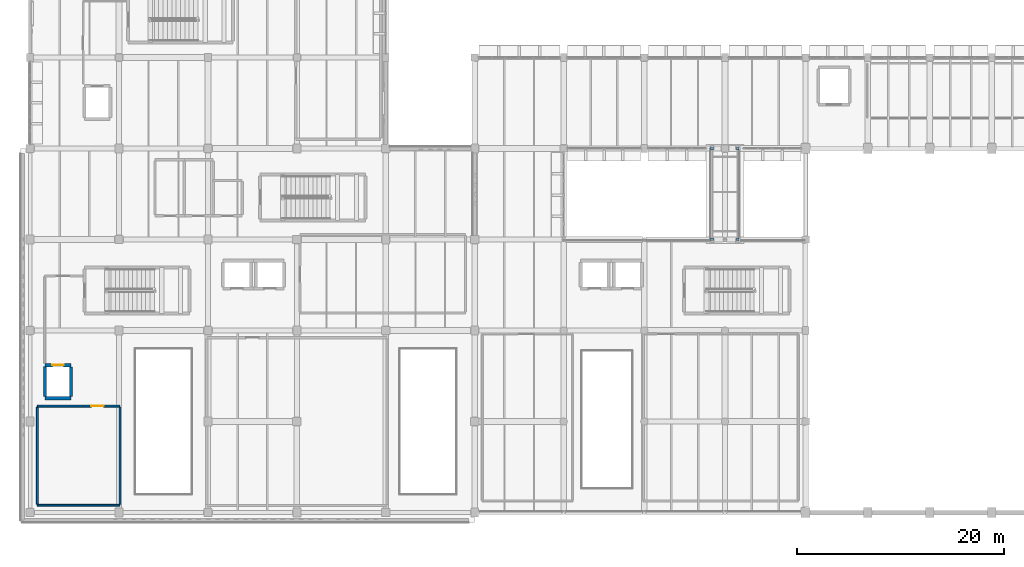
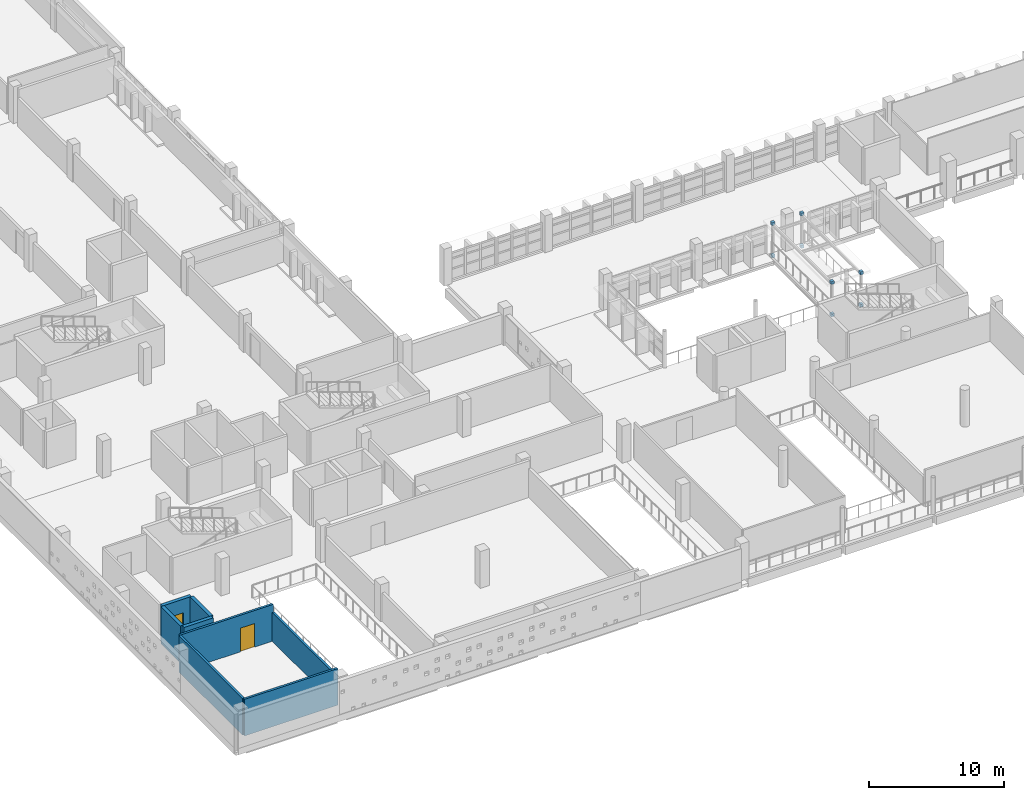
# One storey, part 53 of 75: 8 plates, 8 walls, 2 doors, 2 openings.
"""IFC4 building model written with IfcOpenShell, lengths in metres."""

from ifc_helpers import new_model, si_unit, direction, frame, frame_2d, origin, origin_2d, place, context, subcontext, project, spatial, rectangle, extrude, material, layer, layer_set, type_object, element, fill, save


model = new_model("IFC4")

# Units and contexts
model_context = context("Model", 3, precision=1e-05, world=origin(), true_north=direction((0.0, 1.0)))
body_context = subcontext(model_context, "Body", "Model", "MODEL_VIEW")
ifc_project = project(units=[si_unit("LENGTHUNIT", "METRE"), si_unit("AREAUNIT", "SQUARE_METRE"), si_unit("VOLUMEUNIT", "CUBIC_METRE"), si_unit("PLANEANGLEUNIT", "RADIAN"), si_unit("MASSUNIT", "GRAM", prefix="KILO")], contexts=[model_context])

# Site, building, storey
site_placement = place(None, origin())
site = spatial("IfcSite", under=ifc_project, at=site_placement, CompositionType="ELEMENT")
building_placement = place(site_placement, origin())
building = spatial("IfcBuilding", under=site, at=building_placement, Name="Varnakota Cinema and Media Centre", CompositionType="ELEMENT")
storey_placement = place(building_placement, frame((0.0, 0.0, 8.39990234375)))
storey = spatial("IfcBuildingStorey", under=building, at=storey_placement, Name="L02", CompositionType="ELEMENT", Elevation=8.39990234375)

# Plates
ifc_material_1 = material(Name="Structural steel Grade 350 (E350)", Category="steel")
ifc_layer_1 = layer(ifc_material_1, 0.01611328125)
ifc_layer_set_1 = layer_set([ifc_layer_1], Name="Structural steel Grade 350 (E350)")
plate_type = type_object("IfcPlateType", Name="PL-NODE-16", PredefinedType="SHEET", material=ifc_layer_set_1)
for number, where, z_axis, x_axis, name in (
    (1, (65.949951171875, 26.39990234375, -0.3798828125), (0.0, 0.0, 1.0), (1.0, 0.0, 0.0), "L02 bridge BR2 post base plate 1.1"),
    (2, (65.949951171875, 26.39990234375, 2.56005859375), (0.0, 0.0, 1.0), (1.0, 0.0, 0.0), "L02 bridge BR2 post cap plate 1.1"),
    (3, (65.949951171875, 35.199951171875, -0.3798828125), (0.0, 0.0, 1.0), (1.0, 0.0, 0.0), "L02 bridge BR2 post base plate 1.2"),
    (4, (65.949951171875, 35.199951171875, 2.56005859375), (0.0, 0.0, 1.0), (1.0, 0.0, 0.0), "L02 bridge BR2 post cap plate 1.2"),
    (5, (68.449951171875, 26.39990234375, -0.3798828125), (0.0, 0.0, 1.0), (1.0, 0.0, 0.0), "L02 bridge BR2 post base plate 2.1"),
    (6, (68.449951171875, 26.39990234375, 2.56005859375), (0.0, 0.0, 1.0), (1.0, 0.0, 0.0), "L02 bridge BR2 post cap plate 2.1"),
    (7, (68.449951171875, 35.199951171875, -0.3798828125), (0.0, 0.0, 1.0), (1.0, 0.0, 0.0), "L02 bridge BR2 post base plate 2.2"),
    (8, (68.449951171875, 35.199951171875, 2.56005859375), (0.0, 0.0, 1.0), (1.0, 0.0, 0.0), "L02 bridge BR2 post cap plate 2.2"),
):
    element("IfcPlate", number, at=place(storey_placement, frame(where, z_axis=z_axis, x_axis=x_axis)), inside=storey, type_object=plate_type, Name=name, PredefinedType="SHEET", context=body_context, shape_type="SweptSolid", body=[
        extrude(rectangle(XDim=0.260009765625, YDim=0.260009765625, at=origin_2d()), origin(), (0.0, 0.0, 1.0), 0.260009765625),
    ])

# Walls
ifc_material_2 = material(Name="Concrete M40", Category="concrete")
ifc_layer_2 = layer(ifc_material_2, 0.300048828125)
ifc_layer_set_2 = layer_set([ifc_layer_2], Name="Concrete M40")
wall_type_1 = type_object("IfcWallType", Name="W-CORE-300", PredefinedType="SHEAR", material=ifc_layer_set_2)
wall_1_placement = place(storey_placement, frame((3.949951171875, 11.050048828125, 0.0), z_axis=(0.0, 0.0, 1.0), x_axis=(-1.0, 0.0, 0.0)))
element("IfcWall", 9, at=wall_1_placement, inside=storey, type_object=wall_type_1, Name="L02 LSHAFT-LF-01-L02 S wall", PredefinedType="SHEAR", context=body_context, shape_type="SweptSolid", body=[
    extrude(rectangle(XDim=2.5, YDim=0.300048828125, at=frame_2d((1.25, 0.0))), origin(), (0.0, 0.0, 1.0), 3.340087890625),
])
wall_2_placement = place(storey_placement, frame((1.449951171875, 11.199951171875, 0.0), z_axis=(0.0, 0.0, 1.0), x_axis=(0.0, 1.0, 0.0)))
element("IfcWall", 10, at=wall_2_placement, inside=storey, type_object=wall_type_1, Name="L02 LSHAFT-LF-01-L02 W wall", PredefinedType="SHEAR", context=body_context, shape_type="SweptSolid", body=[
    extrude(rectangle(XDim=2.900146484375, YDim=0.300048828125, at=frame_2d((1.4501953125, 0.0))), origin(), (0.0, 0.0, 1.0), 3.340087890625),
])

# Wall, opening, door
wall_3_placement = place(storey_placement, frame((1.449951171875, 14.25, 0.0), z_axis=(0.0, 0.0, 1.0), x_axis=(1.0, 0.0, 0.0)))
wall_3 = element("IfcWall", 11, at=wall_3_placement, inside=storey, type_object=wall_type_1, Name="L02 LSHAFT-LF-01-L02 N wall", PredefinedType="SHEAR", context=body_context, shape_type="SweptSolid", body=[
    extrude(rectangle(XDim=2.5, YDim=0.300048828125, at=frame_2d((1.25, 0.0))), origin(), (0.0, 0.0, 1.0), 3.340087890625),
])
opening_1_placement = place(wall_3_placement, frame((0.699951171875, 0.0, 0.0)))
opening_1 = element("IfcOpeningElement", 12, at=opening_1_placement, cuts=wall_3, Name="Opening LD-01", PredefinedType="OPENING", context=body_context, shape_type="SweptSolid", body=[
    extrude(rectangle(XDim=1.10009765625, YDim=2.10009765625, at=frame_2d((0.550048828125, 1.050048828125))), frame((0.0, 0.14990234375, 0.0), z_axis=(0.0, -1.0, 0.0), x_axis=(1.0, 0.0, 0.0)), (0.0, 0.0, 1.0), 0.300048828125),
])
ifc_material_3 = material(Name="Thermally broken anodised aluminium AW-6063", Category="aluminium")
door_type_1 = type_object("IfcDoorType", Name="DR-LIFT-1100x2100", OperationType="SLIDING_TO_LEFT", PredefinedType="DOOR", material=ifc_material_3)
door_1_placement = place(opening_1_placement, origin())
door_1 = element("IfcDoor", 13, at=door_1_placement, inside=storey, type_object=door_type_1, Name="L02 door LD-01", OperationType="SLIDING_TO_LEFT", OverallHeight=2.10009765625, OverallWidth=1.10009765625, PredefinedType="DOOR", context=body_context, shape_type="SweptSolid", body=[
    extrude(rectangle(XDim=1.10009765625, YDim=2.10009765625, at=frame_2d((0.550048828125, 1.050048828125))), frame((0.0, 0.02490234375, 0.0), z_axis=(0.0, -1.0, 0.0), x_axis=(1.0, 0.0, 0.0)), (0.0, 0.0, 1.0), 0.050048828125),
])
fill(opening_1, door_1)

# Walls
wall_4_placement = place(storey_placement, frame((3.949951171875, 14.10009765625, 0.0), z_axis=(0.0, 0.0, 1.0), x_axis=(0.0, -1.0, 0.0)))
element("IfcWall", 14, at=wall_4_placement, inside=storey, type_object=wall_type_1, Name="L02 LSHAFT-LF-01-L02 E wall", PredefinedType="SHEAR", context=body_context, shape_type="SweptSolid", body=[
    extrude(rectangle(XDim=2.900146484375, YDim=0.300048828125, at=frame_2d((1.4501953125, 0.0))), origin(), (0.0, 0.0, 1.0), 3.340087890625),
])
ifc_material_4 = material(Name="Autoclaved aerated concrete blockwork", Category="masonry")
ifc_layer_3 = layer(ifc_material_4, 0.18994140625)
ifc_layer_set_3 = layer_set([ifc_layer_3], Name="Autoclaved aerated concrete blockwork")
wall_type_2 = type_object("IfcWallType", Name="W-PART-190", PredefinedType="PARTITIONING", material=ifc_layer_set_3)
wall_5_placement = place(storey_placement, frame((8.695068359375, 0.705078125, 0.0), z_axis=(0.0, 0.0, 1.0), x_axis=(-1.0, 0.0, 0.0)))
element("IfcWall", 15, at=wall_5_placement, inside=storey, type_object=wall_type_2, Name="L02 RWALL-RM-L02-PREVIEW2 S wall", PredefinedType="PARTITIONING", context=body_context, shape_type="SweptSolid", body=[
    extrude(rectangle(XDim=7.989990234375, YDim=0.18994140625, at=frame_2d((3.9951171875, 0.0))), origin(), (0.0, 0.0, 1.0), 3.320068359375),
])
wall_6_placement = place(storey_placement, frame((0.705078125, 0.800048828125, 0.0), z_axis=(0.0, 0.0, 1.0), x_axis=(0.0, 1.0, 0.0)))
element("IfcWall", 16, at=wall_6_placement, inside=storey, type_object=wall_type_2, Name="L02 RWALL-RM-L02-PREVIEW2 W wall", PredefinedType="PARTITIONING", context=body_context, shape_type="SweptSolid", body=[
    extrude(rectangle(XDim=9.39990234375, YDim=0.18994140625, at=frame_2d((4.699951171875, 0.0))), origin(), (0.0, 0.0, 1.0), 3.320068359375),
])

# Wall, opening, door
wall_7_placement = place(storey_placement, frame((0.705078125, 10.294921875, 0.0), z_axis=(0.0, 0.0, 1.0), x_axis=(1.0, 0.0, 0.0)))
wall_7 = element("IfcWall", 17, at=wall_7_placement, inside=storey, type_object=wall_type_2, Name="L02 RWALL-RM-L02-PREVIEW2 N wall", PredefinedType="PARTITIONING", context=body_context, shape_type="SweptSolid", body=[
    extrude(rectangle(XDim=7.989990234375, YDim=0.18994140625, at=frame_2d((3.9951171875, 0.0))), origin(), (0.0, 0.0, 1.0), 3.320068359375),
])
opening_2_placement = place(wall_7_placement, frame((5.195068359375, 0.0, 0.0)))
opening_2 = element("IfcOpeningElement", 18, at=opening_2_placement, cuts=wall_7, Name="Opening D-077", PredefinedType="OPENING", context=body_context, shape_type="SweptSolid", body=[
    extrude(rectangle(XDim=1.199951171875, YDim=2.14990234375, at=frame_2d((0.60009765625, 1.074951171875))), frame((0.0, 0.094970703125, 0.0), z_axis=(0.0, -1.0, 0.0), x_axis=(1.0, 0.0, 0.0)), (0.0, 0.0, 1.0), 0.18994140625),
])
ifc_material_5 = material(Name="Thermally broken anodised aluminium AW-6063", Category="aluminium")
door_type_2 = type_object("IfcDoorType", Name="DR-STD-1200x2150", OperationType="NOTDEFINED", PredefinedType="DOOR", material=ifc_material_5)
door_2_placement = place(opening_2_placement, origin())
door_2 = element("IfcDoor", 19, at=door_2_placement, inside=storey, type_object=door_type_2, Name="L02 door D-077", OperationType="SINGLE_SWING_LEFT", OverallHeight=2.14990234375, OverallWidth=1.199951171875, PredefinedType="DOOR", context=body_context, shape_type="SweptSolid", body=[
    extrude(rectangle(XDim=1.199951171875, YDim=2.14990234375, at=frame_2d((0.60009765625, 1.074951171875))), frame((0.0, 0.02490234375, 0.0), z_axis=(0.0, -1.0, 0.0), x_axis=(1.0, 0.0, 0.0)), (0.0, 0.0, 1.0), 0.050048828125),
])
fill(opening_2, door_2)

# Wall
wall_8_placement = place(storey_placement, frame((8.695068359375, 10.199951171875, 0.0), z_axis=(0.0, 0.0, 1.0), x_axis=(0.0, -1.0, 0.0)))
element("IfcWall", 20, at=wall_8_placement, inside=storey, type_object=wall_type_2, Name="L02 RWALL-RM-L02-PREVIEW2 E wall", PredefinedType="PARTITIONING", context=body_context, shape_type="SweptSolid", body=[
    extrude(rectangle(XDim=9.39990234375, YDim=0.18994140625, at=frame_2d((4.699951171875, 0.0))), origin(), (0.0, 0.0, 1.0), 2.6201171875),
])

save(model, "model.ifc")
